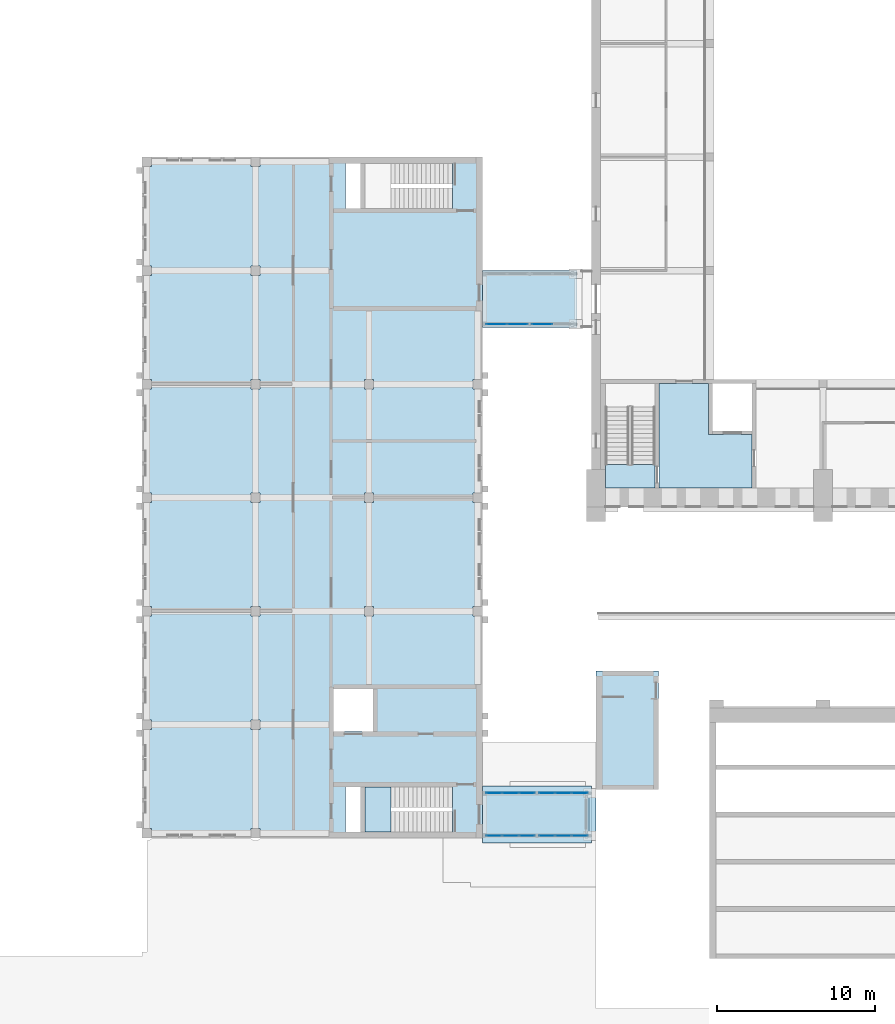
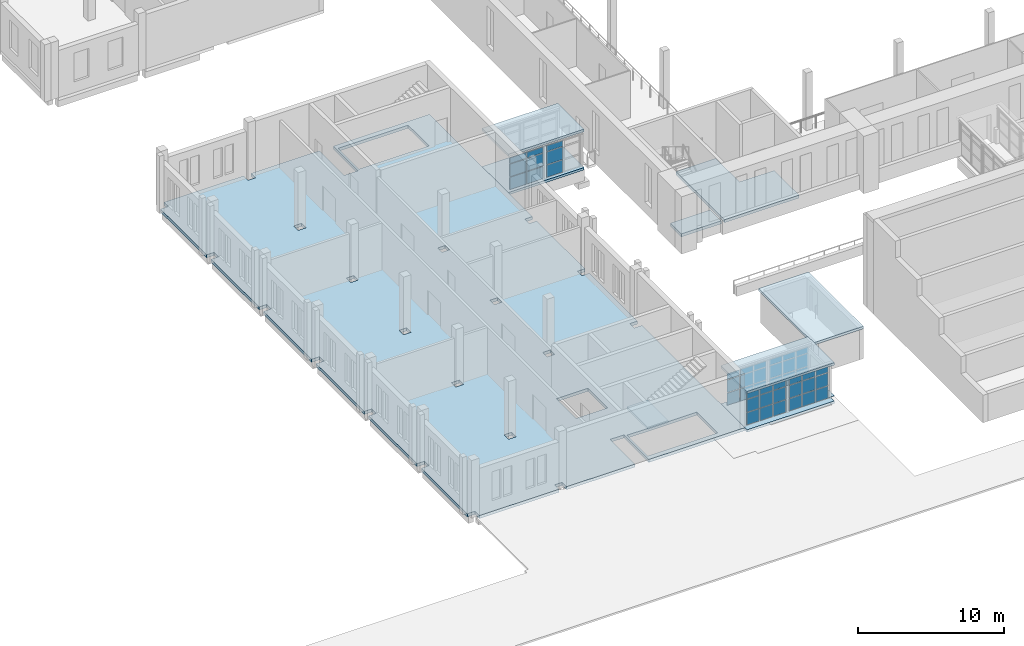
# One storey, part 63 of 131: 46 plates, 9 slabs, 7 elements without a shape of their own.
"""IFC4 building model written with IfcOpenShell, lengths in metres."""

import ifcopenshell
import ifcopenshell.guid

model = None  # the IFC model being written
_history = None  # IfcOwnerHistory: only IFC2X3 demands one
_inside = {}  # id of a spatial element -> (the spatial element, [elements in it])
_under = {}  # id of a project, library or spatial element -> (it, [spatial elements below it])
_declared = {}  # id of a project -> (the project, [libraries it declares])
_typed = {}  # id of a type object -> (the type object, [elements of that type])
_made_of = {}  # id of a material, layer set ... -> (it, [elements and type objects made of it])


def new_model(schema):
    """Start an empty IFC model of exactly this schema.

    Asked for "IFC4X3", IfcOpenShell would pick the latest addendum, in which some entities
    have other attributes; the version numbers below select the first issue.
    IFC2X3 requires an IfcOwnerHistory on every rooted entity: one is made here for all.
    """
    global model, _history
    if schema == "IFC4X3":
        model = ifcopenshell.file(schema_version=(4, 3, 0, 0))
    else:
        model = ifcopenshell.file(schema=schema)
    _inside.clear()
    _under.clear()
    _declared.clear()
    _typed.clear()
    _made_of.clear()
    _history = None
    if model.schema == "IFC2X3":
        org = make("IfcOrganization", Name="unknown")
        user = make(
            "IfcPersonAndOrganization",
            ThePerson=make("IfcPerson", FamilyName="unknown"),
            TheOrganization=org,
        )
        app = make(
            "IfcApplication",
            ApplicationDeveloper=org,
            Version="unknown",
            ApplicationFullName="unknown",
            ApplicationIdentifier="unknown",
        )
        _history = make(
            "IfcOwnerHistory",
            OwningUser=user,
            OwningApplication=app,
            ChangeAction="ADDED",
            CreationDate=0,
        )
    return model


def make(cls, **values):
    """One entity of the class cls with the attributes given. An attribute that is None is left unset."""
    return model.create_entity(
        cls, **{name: value for name, value in values.items() if value is not None}
    )


def rooted(cls, **values):
    """An entity with a GlobalId (a new one), such as an element, a storey or a relation."""
    return make(cls, GlobalId=ifcopenshell.guid.new(), OwnerHistory=_history, **values)


def si_unit(unit_type, name, prefix=None):
    """IfcSIUnit, for example si_unit("LENGTHUNIT", "METRE", prefix="MILLI")."""
    return make("IfcSIUnit", UnitType=unit_type, Prefix=prefix, Name=name)


def assignment(units):
    """IfcUnitAssignment: the units of a project."""
    return None if units is None else make("IfcUnitAssignment", Units=units)


def point(xyz):
    """IfcCartesianPoint."""
    return None if xyz is None else make("IfcCartesianPoint", Coordinates=xyz)


def direction(xyz):
    """IfcDirection."""
    return None if xyz is None else make("IfcDirection", DirectionRatios=xyz)


def frame(location, z_axis=None, x_axis=None):
    """IfcAxis2Placement3D, a coordinate frame: its origin and axes. An axis left out is left unset."""
    return make(
        "IfcAxis2Placement3D",
        Location=point(location),
        Axis=direction(z_axis),
        RefDirection=direction(x_axis),
    )


def frame_2d(location, x_axis=None):
    """IfcAxis2Placement2D, a coordinate frame in the plane: its origin and x axis."""
    return make(
        "IfcAxis2Placement2D", Location=point(location), RefDirection=direction(x_axis)
    )


def origin():
    """The frame at (0, 0, 0) with its axes left unset."""
    return frame((0.0, 0.0, 0.0))


def origin_2d():
    """The frame at (0, 0) in the plane with its x axis left unset."""
    return frame_2d((0.0, 0.0))


def place(relative_to, where):
    """IfcLocalPlacement: puts the frame where relative to a parent placement (None: the world)."""
    return make(
        "IfcLocalPlacement", PlacementRelTo=relative_to, RelativePlacement=where
    )


def context(
    kind, dimensions, precision=None, world=None, true_north=None, identifier=None
):
    """IfcGeometricRepresentationContext, for example the 3D "Model" context."""
    return make(
        "IfcGeometricRepresentationContext",
        ContextIdentifier=identifier,
        ContextType=kind,
        CoordinateSpaceDimension=dimensions,
        Precision=precision,
        WorldCoordinateSystem=world,
        TrueNorth=true_north,
    )


def subcontext(parent, identifier, kind, view, scale=None):
    """IfcGeometricRepresentationSubContext, for example "Body" below "Model"."""
    return make(
        "IfcGeometricRepresentationSubContext",
        ContextIdentifier=identifier,
        ContextType=kind,
        ParentContext=parent,
        TargetScale=scale,
        TargetView=view,
    )


def project(units=None, contexts=None):
    """IfcProject with its units and contexts."""
    return rooted(
        "IfcProject",
        Name="project",
        RepresentationContexts=contexts,
        UnitsInContext=assignment(units),
    )


def spatial(cls, under=None, at=None, **own):
    """A site, building, storey or space (cls), placed at a placement, below another one or the project."""
    s = rooted(cls, ObjectPlacement=at, **own)
    if under is not None:
        _under.setdefault(under.id(), (under, []))[1].append(s)
    return s


def polyline(points):
    """IfcPolyline through the points."""
    return make("IfcPolyline", Points=[point(p) for p in points])


def profile(cls, at=None, kind="AREA", **sizes):
    """A parametric profile (cls). Its sizes go by their IFC names, for example OverallWidth=200.0."""
    return make(cls, ProfileType=kind, Position=at, **sizes)


def rectangle(**sizes):
    """IfcRectangleProfileDef."""
    return profile("IfcRectangleProfileDef", **sizes)


def outline(outer, holes=None, kind="AREA"):
    """IfcArbitraryClosedProfileDef: a profile drawn as a closed curve; with holes, ...WithVoids."""
    if holes is None:
        return make("IfcArbitraryClosedProfileDef", ProfileType=kind, OuterCurve=outer)
    return make(
        "IfcArbitraryProfileDefWithVoids",
        ProfileType=kind,
        OuterCurve=outer,
        InnerCurves=holes,
    )


def extrude(swept, where, along, depth):
    """IfcExtrudedAreaSolid: the profile swept, set in the frame where, extruded along a direction by depth."""
    return make(
        "IfcExtrudedAreaSolid",
        SweptArea=swept,
        Position=where,
        ExtrudedDirection=direction(along),
        Depth=depth,
    )


def shape(context_of_items, identifier, shape_type, items):
    """IfcShapeRepresentation: the items that make up one representation, for example the "Body"."""
    return make(
        "IfcShapeRepresentation",
        ContextOfItems=context_of_items,
        RepresentationIdentifier=identifier,
        RepresentationType=shape_type,
        Items=items,
    )


def material(Name=None, Category=None):
    """IfcMaterial."""
    return make("IfcMaterial", Name=Name, Category=Category)


def layer(
    of_material, thickness, ventilated=None, Name=None, Category=None, Priority=None
):
    """IfcMaterialLayer: one layer of a wall or slab, of a material (None: an air gap)."""
    return make(
        "IfcMaterialLayer",
        Material=of_material,
        LayerThickness=thickness,
        IsVentilated=ventilated,
        Name=Name,
        Category=Category,
        Priority=Priority,
    )


def layer_set(layers, Name=None):
    """IfcMaterialLayerSet."""
    return make("IfcMaterialLayerSet", MaterialLayers=layers, LayerSetName=Name)


def made_of(thing, what):
    """Note that an element or type object is made of a material, layer set ...; save() writes the relation."""
    if what is not None:
        _made_of.setdefault(what.id(), (what, []))[1].append(thing)
    return thing


def type_object(cls, material=None, **own):
    """A type object (cls), such as IfcWallType, which elements share."""
    return made_of(rooted(cls, **own), material)


def element(
    cls,
    number,
    at=None,
    inside=None,
    cuts=None,
    type_object=None,
    material=None,
    context=None,
    identifier="Body",
    shape_type=None,
    held_by="IfcProductDefinitionShape",
    body=None,
    shapes=None,
    **own,
):
    """One element of the class cls, such as IfcWall. Its Tag is "e" and its number.

    at: its placement. inside: the storey or other place that contains it. cuts: it is an
    opening in that element (IfcRelVoidsElement). A single representation is given by context,
    identifier, shape_type and body (its items); several are given by shapes. held_by: the class
    of the entity that holds the representations. save() writes the other relations.
    """
    e = rooted(cls, Tag="e%d" % number, ObjectPlacement=at, **own)
    if body is not None:
        shapes = [shape(context, identifier, shape_type, body)]
    if shapes is not None:
        e.Representation = make(held_by, Representations=shapes)
    if inside is not None:
        _inside.setdefault(inside.id(), (inside, []))[1].append(e)
    if cuts is not None:
        rooted(
            "IfcRelVoidsElement", RelatingBuildingElement=cuts, RelatedOpeningElement=e
        )
    if type_object is not None:
        _typed.setdefault(type_object.id(), (type_object, []))[1].append(e)
    return made_of(e, material)


def aggregate(whole, parts):
    """IfcRelAggregates: a whole, such as a stair, and the parts it consists of."""
    return rooted("IfcRelAggregates", RelatingObject=whole, RelatedObjects=parts)


def save(model, path):
    """Write the relations noted so far, then the file.

    IfcRelAggregates (storeys below a building ...), IfcRelContainedInSpatialStructure (elements
    in a storey), IfcRelDefinesByType, IfcRelAssociatesMaterial and IfcRelDeclares: one each for
    every whole, place, type object, material and project.
    """
    for whole, parts in _under.values():
        aggregate(whole, parts)
    for where, things in _inside.values():
        rooted(
            "IfcRelContainedInSpatialStructure",
            RelatedElements=things,
            RelatingStructure=where,
        )
    for kind, things in _typed.values():
        rooted("IfcRelDefinesByType", RelatedObjects=things, RelatingType=kind)
    for what, things in _made_of.values():
        rooted("IfcRelAssociatesMaterial", RelatedObjects=things, RelatingMaterial=what)
    for by, libraries in _declared.values():
        rooted("IfcRelDeclares", RelatingContext=by, RelatedDefinitions=libraries)
    model.write(path)


model = new_model("IFC4")

# Units and contexts
model_context = context("Model", 3, precision=1e-05, world=origin(), true_north=direction((0.0, 1.0)))
body_context = subcontext(model_context, "Body", "Model", "MODEL_VIEW")
ifc_project = project(units=[si_unit("LENGTHUNIT", "METRE"), si_unit("AREAUNIT", "SQUARE_METRE"), si_unit("VOLUMEUNIT", "CUBIC_METRE"), si_unit("PLANEANGLEUNIT", "RADIAN"), si_unit("MASSUNIT", "GRAM", prefix="KILO")], contexts=[model_context])

# Site, building, storey
site_placement = place(None, origin())
site = spatial("IfcSite", under=ifc_project, at=site_placement, CompositionType="ELEMENT")
building_placement = place(site_placement, origin())
building = spatial("IfcBuilding", under=site, at=building_placement, Name="Alderwick Market Hall", CompositionType="ELEMENT")
storey_placement = place(building_placement, frame((0.0, 0.0, 4.800048828125)))
storey = spatial("IfcBuildingStorey", under=building, at=storey_placement, Name="L00", CompositionType="ELEMENT", Elevation=4.800048828125)

# Slabs
ifc_material_1 = material(Name="Concrete 4000 psi (f'c 28 MPa)", Category="concrete")
ifc_layer_1 = layer(ifc_material_1, 0.199951171875)
ifc_layer_set_1 = layer_set([ifc_layer_1], Name="Concrete 4000 psi (f'c 28 MPa)")
slab_type_1 = type_object("IfcSlabType", Name="A Head-house Roof Slab 200", PredefinedType="ROOF", material=ifc_layer_set_1)
slab_1_placement = place(storey_placement, frame((0.0, 0.0, 2.5)))
element("IfcSlab", 1, at=slab_1_placement, inside=storey, type_object=slab_type_1, Name="A.S.hh.W.roof", PredefinedType="ROOF", context=body_context, shape_type="SweptSolid", body=[
    extrude(outline(polyline([(50.39990234375, 31.8798828125), (54.35009765625, 31.8798828125), (54.35009765625, 39.39990234375), (50.39990234375, 39.39990234375), (50.39990234375, 31.8798828125)])), origin(), (0.0, 0.0, 1.0), 0.199951171875),
])
ifc_layer_2 = layer(ifc_material_1, 0.25)
ifc_layer_set_2 = layer_set([ifc_layer_2], Name="Concrete 4000 psi (f'c 28 MPa)")
slab_type_2 = type_object("IfcSlabType", Name="B RC Floor Slab 250", PredefinedType="FLOOR", material=ifc_layer_set_2)
slab_2_placement = place(storey_placement, frame((0.0, 0.0, -0.25)))
element("IfcSlab", 2, at=slab_2_placement, inside=storey, type_object=slab_type_2, Name="B.S.slab.L00", PredefinedType="FLOOR", context=body_context, shape_type="SweptSolid", body=[
    extrude(outline(polyline([(22.199951171875, 65.10009765625), (21.60009765625, 65.10009765625), (21.60009765625, 71.39990234375), (22.199951171875, 71.39990234375), (22.199951171875, 72.0), (28.5, 72.0), (28.5, 71.39990234375), (29.10009765625, 71.39990234375), (29.10009765625, 72.0), (34.5, 72.0), (34.5, 68.60009765625), (35.60009765625, 68.60009765625), (35.60009765625, 72.0), (43.199951171875, 72.0), (43.199951171875, 57.89990234375), (42.60009765625, 57.89990234375), (42.60009765625, 57.300048828125), (43.199951171875, 57.300048828125), (43.199951171875, 50.699951171875), (42.60009765625, 50.699951171875), (42.60009765625, 50.10009765625), (43.199951171875, 50.10009765625), (43.199951171875, 43.5), (42.60009765625, 43.5), (42.60009765625, 42.89990234375), (43.199951171875, 42.89990234375), (43.199951171875, 28.800048828125), (35.60009765625, 28.800048828125), (35.60009765625, 32.199951171875), (34.5, 32.199951171875), (34.5, 28.800048828125), (29.10009765625, 28.800048828125), (29.10009765625, 29.39990234375), (28.5, 29.39990234375), (28.5, 28.800048828125), (22.199951171875, 28.800048828125), (22.199951171875, 29.39990234375), (21.60009765625, 29.39990234375), (21.60009765625, 35.699951171875), (22.199951171875, 35.699951171875), (22.199951171875, 36.300048828125), (21.60009765625, 36.300048828125), (21.60009765625, 42.89990234375), (22.199951171875, 42.89990234375), (22.199951171875, 43.5), (21.60009765625, 43.5), (21.60009765625, 50.10009765625), (22.199951171875, 50.10009765625), (22.199951171875, 50.699951171875), (21.60009765625, 50.699951171875), (21.60009765625, 57.300048828125), (22.199951171875, 57.300048828125), (22.199951171875, 57.89990234375), (21.60009765625, 57.89990234375), (21.60009765625, 64.5), (22.199951171875, 64.5), (22.199951171875, 65.10009765625)]), holes=[polyline([(29.10009765625, 36.300048828125), (28.5, 36.300048828125), (28.5, 35.699951171875), (29.10009765625, 35.699951171875), (29.10009765625, 36.300048828125)]), polyline([(29.10009765625, 42.89990234375), (29.10009765625, 43.5), (28.5, 43.5), (28.5, 42.89990234375), (29.10009765625, 42.89990234375)]), polyline([(28.5, 50.10009765625), (29.10009765625, 50.10009765625), (29.10009765625, 50.699951171875), (28.5, 50.699951171875), (28.5, 50.10009765625)]), polyline([(28.5, 57.89990234375), (28.5, 57.300048828125), (29.10009765625, 57.300048828125), (29.10009765625, 57.89990234375), (28.5, 57.89990234375)]), polyline([(29.10009765625, 65.10009765625), (28.5, 65.10009765625), (28.5, 64.5), (29.10009765625, 64.5), (29.10009765625, 65.10009765625)]), polyline([(35.699951171875, 42.89990234375), (36.300048828125, 42.89990234375), (36.300048828125, 43.5), (35.699951171875, 43.5), (35.699951171875, 42.89990234375)]), polyline([(35.699951171875, 50.699951171875), (35.699951171875, 50.10009765625), (36.300048828125, 50.10009765625), (36.300048828125, 50.699951171875), (35.699951171875, 50.699951171875)]), polyline([(36.300048828125, 57.89990234375), (35.699951171875, 57.89990234375), (35.699951171875, 57.300048828125), (36.300048828125, 57.300048828125), (36.300048828125, 57.89990234375)]), polyline([(41.2900390625, 32.050048828125), (35.75, 32.050048828125), (35.75, 29.199951171875), (41.2900390625, 29.199951171875), (41.2900390625, 32.050048828125)]), polyline([(36.25, 35.550048828125), (36.25, 38.25), (33.75, 38.25), (33.75, 35.550048828125), (36.25, 35.550048828125)]), polyline([(35.75, 71.60009765625), (35.75, 68.75), (41.2900390625, 68.75), (41.2900390625, 71.60009765625), (35.75, 71.60009765625)])]), origin(), (0.0, 0.0, 1.0), 0.25),
])

# Stair, slab
ifc_material_2 = material(Name="Concrete 5000 psi (f'c 35 MPa)", Category="concrete")
stair_type = type_object("IfcStairType", Name="B Exit Stair 1300", PredefinedType="TWO_STRAIGHT_RUN_STAIR", material=ifc_material_2)
stair_placement = place(storey_placement, origin())
stair = element("IfcStair", 3, at=stair_placement, inside=storey, type_object=stair_type, Name="Stair S-1 L00", PredefinedType="TWO_STRAIGHT_RUN_STAIR")
ifc_layer_3 = layer(ifc_material_2, 0.199951171875)
ifc_layer_set_3 = layer_set([ifc_layer_3], Name="Concrete 5000 psi (f'c 35 MPa)")
slab_type_3 = type_object("IfcSlabType", Name="B Stair Landing 200", PredefinedType="LANDING", material=ifc_layer_set_3)
slab_3_placement = place(storey_placement, frame((0.0, 0.0, 2.199951171875)))
slab_3 = element("IfcSlab", 4, at=slab_3_placement, type_object=slab_type_3, Name="B-ST-S-1-L00 landing 1", PredefinedType="LANDING", context=body_context, shape_type="SweptSolid", body=[
    extrude(outline(polyline([(35.75, 29.199951171875), (37.3798828125, 29.199951171875), (37.3798828125, 32.050048828125), (35.75, 32.050048828125), (35.75, 29.199951171875)])), origin(), (0.0, 0.0, 1.0), 0.199951171875),
])
aggregate(stair, [slab_3])

# Slabs
ifc_layer_4 = layer(ifc_material_1, 0.25)
ifc_layer_set_4 = layer_set([ifc_layer_4], Name="Concrete 4000 psi (f'c 28 MPa)")
slab_type_4 = type_object("IfcSlabType", Name="H Gallery slab 250", PredefinedType="FLOOR", material=ifc_layer_set_4)
slab_4_placement = place(storey_placement, frame((0.0, 0.0, -0.25)))
element("IfcSlab", 5, at=slab_4_placement, inside=storey, type_object=slab_type_4, Name="Core floor H-SW L00", PredefinedType="FLOOR", context=body_context, shape_type="SweptSolid", body=[
    extrude(outline(polyline([(51.0, 52.5), (54.14990234375, 52.5), (54.14990234375, 51.0), (51.0, 51.0), (51.0, 52.5)])), origin(), (0.0, 0.0, 1.0), 0.25),
])
slab_5_placement = place(storey_placement, frame((0.0, 0.0, -0.25)))
element("IfcSlab", 6, at=slab_5_placement, inside=storey, type_object=slab_type_4, Name="Core floor H-SW L00", PredefinedType="FLOOR", context=body_context, shape_type="SweptSolid", body=[
    extrude(outline(polyline([(57.550048828125, 57.639892578125), (57.550048828125, 54.389892578125), (60.300048828125, 54.389892578125), (60.300048828125, 51.0), (54.39990234375, 51.0), (54.39990234375, 57.639892578125), (57.550048828125, 57.639892578125)])), origin(), (0.0, 0.0, 1.0), 0.25),
])

# Curtain wall, plates
ifc_material_3 = material(Name="Aluminium frame", Category="aluminium")
ifc_layer_5 = layer(ifc_material_3, 0.10009765625)
ifc_layer_set_5 = layer_set([ifc_layer_5], Name="Aluminium frame")
curtain_wall_type = type_object("IfcCurtainWallType", Name="P Curtain Wall 100", PredefinedType="NOTDEFINED", material=ifc_layer_set_5)
curtain_wall_1_placement = place(storey_placement, origin())
curtain_wall_1 = element("IfcCurtainWall", 7, at=curtain_wall_1_placement, inside=storey, type_object=curtain_wall_type, Name="P.P6.cw.a0", PredefinedType="NOTDEFINED")
ifc_material_4 = material(Name="Glass, low-e insulated glazing", Category="glass")
ifc_layer_6 = layer(ifc_material_4, 0.028076171875)
ifc_layer_set_6 = layer_set([ifc_layer_6], Name="Glass, low-e insulated glazing")
plate_type_1 = type_object("IfcPlateType", Name="P Glass Panel 28", PredefinedType="CURTAIN_PANEL", material=ifc_layer_set_6)
plate_1_placement = place(storey_placement, frame((44.077880859375, 61.39990234375, 0.06005859375), z_axis=(0.0, 0.0, 1.0), x_axis=(1.0, 0.0, 0.0)))
plate_1 = element("IfcPlate", 8, at=plate_1_placement, type_object=plate_type_1, Name="P-CW6a0 panel 1.1", PredefinedType="CURTAIN_PANEL", context=body_context, shape_type="SweptSolid", body=[
    extrude(rectangle(XDim=1.283935546875, YDim=0.028076171875, at=origin_2d()), origin(), (0.0, 0.0, 1.0), 1.010009765625),
])
plate_2_placement = place(storey_placement, frame((44.077880859375, 61.39990234375, 1.1298828125), z_axis=(0.0, 0.0, 1.0), x_axis=(1.0, 0.0, 0.0)))
plate_2 = element("IfcPlate", 9, at=plate_2_placement, type_object=plate_type_1, Name="P-CW6a0 panel 1.2", PredefinedType="CURTAIN_PANEL", context=body_context, shape_type="SweptSolid", body=[
    extrude(rectangle(XDim=1.283935546875, YDim=0.028076171875, at=origin_2d()), origin(), (0.0, 0.0, 1.0), 1.0400390625),
])
plate_3_placement = place(storey_placement, frame((44.077880859375, 61.39990234375, 2.22998046875), z_axis=(0.0, 0.0, 1.0), x_axis=(1.0, 0.0, 0.0)))
plate_3 = element("IfcPlate", 10, at=plate_3_placement, type_object=plate_type_1, Name="P-CW6a0 panel 1.3", PredefinedType="CURTAIN_PANEL", context=body_context, shape_type="SweptSolid", body=[
    extrude(rectangle(XDim=1.283935546875, YDim=0.028076171875, at=origin_2d()), origin(), (0.0, 0.0, 1.0), 0.462890625),
])
plate_4_placement = place(storey_placement, frame((45.422119140625, 61.39990234375, 0.06005859375), z_axis=(0.0, 0.0, 1.0), x_axis=(1.0, 0.0, 0.0)))
plate_4 = element("IfcPlate", 11, at=plate_4_placement, type_object=plate_type_1, Name="P-CW6a0 panel 2.1", PredefinedType="CURTAIN_PANEL", context=body_context, shape_type="SweptSolid", body=[
    extrude(rectangle(XDim=1.283935546875, YDim=0.028076171875, at=origin_2d()), origin(), (0.0, 0.0, 1.0), 1.010009765625),
])
plate_5_placement = place(storey_placement, frame((45.422119140625, 61.39990234375, 1.1298828125), z_axis=(0.0, 0.0, 1.0), x_axis=(1.0, 0.0, 0.0)))
plate_5 = element("IfcPlate", 12, at=plate_5_placement, type_object=plate_type_1, Name="P-CW6a0 panel 2.2", PredefinedType="CURTAIN_PANEL", context=body_context, shape_type="SweptSolid", body=[
    extrude(rectangle(XDim=1.283935546875, YDim=0.028076171875, at=origin_2d()), origin(), (0.0, 0.0, 1.0), 1.0400390625),
])
plate_6_placement = place(storey_placement, frame((45.422119140625, 61.39990234375, 2.22998046875), z_axis=(0.0, 0.0, 1.0), x_axis=(1.0, 0.0, 0.0)))
plate_6 = element("IfcPlate", 13, at=plate_6_placement, type_object=plate_type_1, Name="P-CW6a0 panel 2.3", PredefinedType="CURTAIN_PANEL", context=body_context, shape_type="SweptSolid", body=[
    extrude(rectangle(XDim=1.283935546875, YDim=0.028076171875, at=origin_2d()), origin(), (0.0, 0.0, 1.0), 0.462890625),
])
aggregate(curtain_wall_1, [plate_1, plate_2, plate_3, plate_4, plate_5, plate_6])

curtain_wall_2_placement = place(storey_placement, origin())
curtain_wall_2 = element("IfcCurtainWall", 14, at=curtain_wall_2_placement, inside=storey, type_object=curtain_wall_type, Name="P.P6.cw.a1", PredefinedType="NOTDEFINED")
plate_7_placement = place(storey_placement, frame((46.97802734375, 61.39990234375, 0.06005859375), z_axis=(0.0, 0.0, 1.0), x_axis=(1.0, 0.0, 0.0)))
plate_7 = element("IfcPlate", 15, at=plate_7_placement, type_object=plate_type_1, Name="P-CW6a1 panel 1.1", PredefinedType="CURTAIN_PANEL", context=body_context, shape_type="SweptSolid", body=[
    extrude(rectangle(XDim=1.283935546875, YDim=0.028076171875, at=origin_2d()), origin(), (0.0, 0.0, 1.0), 1.010009765625),
])
plate_8_placement = place(storey_placement, frame((46.97802734375, 61.39990234375, 1.1298828125), z_axis=(0.0, 0.0, 1.0), x_axis=(1.0, 0.0, 0.0)))
plate_8 = element("IfcPlate", 16, at=plate_8_placement, type_object=plate_type_1, Name="P-CW6a1 panel 1.2", PredefinedType="CURTAIN_PANEL", context=body_context, shape_type="SweptSolid", body=[
    extrude(rectangle(XDim=1.283935546875, YDim=0.028076171875, at=origin_2d()), origin(), (0.0, 0.0, 1.0), 1.0400390625),
])
plate_9_placement = place(storey_placement, frame((46.97802734375, 61.39990234375, 2.22998046875), z_axis=(0.0, 0.0, 1.0), x_axis=(1.0, 0.0, 0.0)))
plate_9 = element("IfcPlate", 17, at=plate_9_placement, type_object=plate_type_1, Name="P-CW6a1 panel 1.3", PredefinedType="CURTAIN_PANEL", context=body_context, shape_type="SweptSolid", body=[
    extrude(rectangle(XDim=1.283935546875, YDim=0.028076171875, at=origin_2d()), origin(), (0.0, 0.0, 1.0), 0.462890625),
])
aggregate(curtain_wall_2, [plate_7, plate_8, plate_9])

curtain_wall_3_placement = place(storey_placement, origin())
curtain_wall_3 = element("IfcCurtainWall", 18, at=curtain_wall_3_placement, inside=storey, type_object=curtain_wall_type, Name="P.P8.cw.a0", PredefinedType="NOTDEFINED")
plate_10_placement = place(storey_placement, frame((43.924072265625, 28.949951171875, 0.06005859375), z_axis=(0.0, 0.0, 1.0), x_axis=(1.0, 0.0, 0.0)))
plate_10 = element("IfcPlate", 19, at=plate_10_placement, type_object=plate_type_1, Name="P-CW8a0 panel 1.1", PredefinedType="CURTAIN_PANEL", context=body_context, shape_type="SweptSolid", body=[
    extrude(rectangle(XDim=0.97607421875, YDim=0.028076171875, at=origin_2d()), origin(), (0.0, 0.0, 1.0), 1.010009765625),
])
plate_11_placement = place(storey_placement, frame((43.924072265625, 28.949951171875, 1.1298828125), z_axis=(0.0, 0.0, 1.0), x_axis=(1.0, 0.0, 0.0)))
plate_11 = element("IfcPlate", 20, at=plate_11_placement, type_object=plate_type_1, Name="P-CW8a0 panel 1.2", PredefinedType="CURTAIN_PANEL", context=body_context, shape_type="SweptSolid", body=[
    extrude(rectangle(XDim=0.97607421875, YDim=0.028076171875, at=origin_2d()), origin(), (0.0, 0.0, 1.0), 1.0400390625),
])
plate_12_placement = place(storey_placement, frame((43.924072265625, 28.949951171875, 2.22998046875), z_axis=(0.0, 0.0, 1.0), x_axis=(1.0, 0.0, 0.0)))
plate_12 = element("IfcPlate", 21, at=plate_12_placement, type_object=plate_type_1, Name="P-CW8a0 panel 1.3", PredefinedType="CURTAIN_PANEL", context=body_context, shape_type="SweptSolid", body=[
    extrude(rectangle(XDim=0.97607421875, YDim=0.028076171875, at=origin_2d()), origin(), (0.0, 0.0, 1.0), 0.462890625),
])
plate_13_placement = place(storey_placement, frame((44.97509765625, 28.949951171875, 0.06005859375), z_axis=(0.0, 0.0, 1.0), x_axis=(1.0, 0.0, 0.0)))
plate_13 = element("IfcPlate", 22, at=plate_13_placement, type_object=plate_type_1, Name="P-CW8a0 panel 2.1", PredefinedType="CURTAIN_PANEL", context=body_context, shape_type="SweptSolid", body=[
    extrude(rectangle(XDim=1.006103515625, YDim=0.028076171875, at=origin_2d()), origin(), (0.0, 0.0, 1.0), 1.010009765625),
])
plate_14_placement = place(storey_placement, frame((44.97509765625, 28.949951171875, 1.1298828125), z_axis=(0.0, 0.0, 1.0), x_axis=(1.0, 0.0, 0.0)))
plate_14 = element("IfcPlate", 23, at=plate_14_placement, type_object=plate_type_1, Name="P-CW8a0 panel 2.2", PredefinedType="CURTAIN_PANEL", context=body_context, shape_type="SweptSolid", body=[
    extrude(rectangle(XDim=1.006103515625, YDim=0.028076171875, at=origin_2d()), origin(), (0.0, 0.0, 1.0), 1.0400390625),
])
plate_15_placement = place(storey_placement, frame((44.97509765625, 28.949951171875, 2.22998046875), z_axis=(0.0, 0.0, 1.0), x_axis=(1.0, 0.0, 0.0)))
plate_15 = element("IfcPlate", 24, at=plate_15_placement, type_object=plate_type_1, Name="P-CW8a0 panel 2.3", PredefinedType="CURTAIN_PANEL", context=body_context, shape_type="SweptSolid", body=[
    extrude(rectangle(XDim=1.006103515625, YDim=0.028076171875, at=origin_2d()), origin(), (0.0, 0.0, 1.0), 0.462890625),
])
plate_16_placement = place(storey_placement, frame((46.02587890625, 28.949951171875, 0.06005859375), z_axis=(0.0, 0.0, 1.0), x_axis=(1.0, 0.0, 0.0)))
plate_16 = element("IfcPlate", 25, at=plate_16_placement, type_object=plate_type_1, Name="P-CW8a0 panel 3.1", PredefinedType="CURTAIN_PANEL", context=body_context, shape_type="SweptSolid", body=[
    extrude(rectangle(XDim=0.97607421875, YDim=0.028076171875, at=origin_2d()), origin(), (0.0, 0.0, 1.0), 1.010009765625),
])
plate_17_placement = place(storey_placement, frame((46.02587890625, 28.949951171875, 1.1298828125), z_axis=(0.0, 0.0, 1.0), x_axis=(1.0, 0.0, 0.0)))
plate_17 = element("IfcPlate", 26, at=plate_17_placement, type_object=plate_type_1, Name="P-CW8a0 panel 3.2", PredefinedType="CURTAIN_PANEL", context=body_context, shape_type="SweptSolid", body=[
    extrude(rectangle(XDim=0.97607421875, YDim=0.028076171875, at=origin_2d()), origin(), (0.0, 0.0, 1.0), 1.0400390625),
])
plate_18_placement = place(storey_placement, frame((46.02587890625, 28.949951171875, 2.22998046875), z_axis=(0.0, 0.0, 1.0), x_axis=(1.0, 0.0, 0.0)))
plate_18 = element("IfcPlate", 27, at=plate_18_placement, type_object=plate_type_1, Name="P-CW8a0 panel 3.3", PredefinedType="CURTAIN_PANEL", context=body_context, shape_type="SweptSolid", body=[
    extrude(rectangle(XDim=0.97607421875, YDim=0.028076171875, at=origin_2d()), origin(), (0.0, 0.0, 1.0), 0.462890625),
])
aggregate(curtain_wall_3, [plate_10, plate_11, plate_12, plate_13, plate_14, plate_15, plate_16, plate_17, plate_18])

curtain_wall_4_placement = place(storey_placement, origin())
curtain_wall_4 = element("IfcCurtainWall", 28, at=curtain_wall_4_placement, inside=storey, type_object=curtain_wall_type, Name="P.P8.cw.a1", PredefinedType="NOTDEFINED")
plate_19_placement = place(storey_placement, frame((47.27392578125, 28.949951171875, 0.06005859375), z_axis=(0.0, 0.0, 1.0), x_axis=(1.0, 0.0, 0.0)))
plate_19 = element("IfcPlate", 29, at=plate_19_placement, type_object=plate_type_1, Name="P-CW8a1 panel 1.1", PredefinedType="CURTAIN_PANEL", context=body_context, shape_type="SweptSolid", body=[
    extrude(rectangle(XDim=0.97607421875, YDim=0.028076171875, at=origin_2d()), origin(), (0.0, 0.0, 1.0), 1.010009765625),
])
plate_20_placement = place(storey_placement, frame((47.27392578125, 28.949951171875, 1.1298828125), z_axis=(0.0, 0.0, 1.0), x_axis=(1.0, 0.0, 0.0)))
plate_20 = element("IfcPlate", 30, at=plate_20_placement, type_object=plate_type_1, Name="P-CW8a1 panel 1.2", PredefinedType="CURTAIN_PANEL", context=body_context, shape_type="SweptSolid", body=[
    extrude(rectangle(XDim=0.97607421875, YDim=0.028076171875, at=origin_2d()), origin(), (0.0, 0.0, 1.0), 1.0400390625),
])
plate_21_placement = place(storey_placement, frame((47.27392578125, 28.949951171875, 2.22998046875), z_axis=(0.0, 0.0, 1.0), x_axis=(1.0, 0.0, 0.0)))
plate_21 = element("IfcPlate", 31, at=plate_21_placement, type_object=plate_type_1, Name="P-CW8a1 panel 1.3", PredefinedType="CURTAIN_PANEL", context=body_context, shape_type="SweptSolid", body=[
    extrude(rectangle(XDim=0.97607421875, YDim=0.028076171875, at=origin_2d()), origin(), (0.0, 0.0, 1.0), 0.462890625),
])
plate_22_placement = place(storey_placement, frame((48.324951171875, 28.949951171875, 0.06005859375), z_axis=(0.0, 0.0, 1.0), x_axis=(1.0, 0.0, 0.0)))
plate_22 = element("IfcPlate", 32, at=plate_22_placement, type_object=plate_type_1, Name="P-CW8a1 panel 2.1", PredefinedType="CURTAIN_PANEL", context=body_context, shape_type="SweptSolid", body=[
    extrude(rectangle(XDim=1.006103515625, YDim=0.028076171875, at=origin_2d()), origin(), (0.0, 0.0, 1.0), 1.010009765625),
])
plate_23_placement = place(storey_placement, frame((48.324951171875, 28.949951171875, 1.1298828125), z_axis=(0.0, 0.0, 1.0), x_axis=(1.0, 0.0, 0.0)))
plate_23 = element("IfcPlate", 33, at=plate_23_placement, type_object=plate_type_1, Name="P-CW8a1 panel 2.2", PredefinedType="CURTAIN_PANEL", context=body_context, shape_type="SweptSolid", body=[
    extrude(rectangle(XDim=1.006103515625, YDim=0.028076171875, at=origin_2d()), origin(), (0.0, 0.0, 1.0), 1.0400390625),
])
plate_24_placement = place(storey_placement, frame((48.324951171875, 28.949951171875, 2.22998046875), z_axis=(0.0, 0.0, 1.0), x_axis=(1.0, 0.0, 0.0)))
plate_24 = element("IfcPlate", 34, at=plate_24_placement, type_object=plate_type_1, Name="P-CW8a1 panel 2.3", PredefinedType="CURTAIN_PANEL", context=body_context, shape_type="SweptSolid", body=[
    extrude(rectangle(XDim=1.006103515625, YDim=0.028076171875, at=origin_2d()), origin(), (0.0, 0.0, 1.0), 0.462890625),
])
plate_25_placement = place(storey_placement, frame((49.3759765625, 28.949951171875, 0.06005859375), z_axis=(0.0, 0.0, 1.0), x_axis=(1.0, 0.0, 0.0)))
plate_25 = element("IfcPlate", 35, at=plate_25_placement, type_object=plate_type_1, Name="P-CW8a1 panel 3.1", PredefinedType="CURTAIN_PANEL", context=body_context, shape_type="SweptSolid", body=[
    extrude(rectangle(XDim=0.97607421875, YDim=0.028076171875, at=origin_2d()), origin(), (0.0, 0.0, 1.0), 1.010009765625),
])
plate_26_placement = place(storey_placement, frame((49.3759765625, 28.949951171875, 1.1298828125), z_axis=(0.0, 0.0, 1.0), x_axis=(1.0, 0.0, 0.0)))
plate_26 = element("IfcPlate", 36, at=plate_26_placement, type_object=plate_type_1, Name="P-CW8a1 panel 3.2", PredefinedType="CURTAIN_PANEL", context=body_context, shape_type="SweptSolid", body=[
    extrude(rectangle(XDim=0.97607421875, YDim=0.028076171875, at=origin_2d()), origin(), (0.0, 0.0, 1.0), 1.0400390625),
])
plate_27_placement = place(storey_placement, frame((49.3759765625, 28.949951171875, 2.22998046875), z_axis=(0.0, 0.0, 1.0), x_axis=(1.0, 0.0, 0.0)))
plate_27 = element("IfcPlate", 37, at=plate_27_placement, type_object=plate_type_1, Name="P-CW8a1 panel 3.3", PredefinedType="CURTAIN_PANEL", context=body_context, shape_type="SweptSolid", body=[
    extrude(rectangle(XDim=0.97607421875, YDim=0.028076171875, at=origin_2d()), origin(), (0.0, 0.0, 1.0), 0.462890625),
])
aggregate(curtain_wall_4, [plate_19, plate_20, plate_21, plate_22, plate_23, plate_24, plate_25, plate_26, plate_27])

curtain_wall_5_placement = place(storey_placement, origin())
curtain_wall_5 = element("IfcCurtainWall", 38, at=curtain_wall_5_placement, inside=storey, type_object=curtain_wall_type, Name="P.P8.cw.b0", PredefinedType="NOTDEFINED")
plate_28_placement = place(storey_placement, frame((43.924072265625, 31.64990234375, 0.06005859375), z_axis=(0.0, 0.0, 1.0), x_axis=(1.0, 0.0, 0.0)))
plate_28 = element("IfcPlate", 39, at=plate_28_placement, type_object=plate_type_1, Name="P-CW8b0 panel 1.1", PredefinedType="CURTAIN_PANEL", context=body_context, shape_type="SweptSolid", body=[
    extrude(rectangle(XDim=0.97607421875, YDim=0.028076171875, at=origin_2d()), origin(), (0.0, 0.0, 1.0), 1.010009765625),
])
plate_29_placement = place(storey_placement, frame((43.924072265625, 31.64990234375, 1.1298828125), z_axis=(0.0, 0.0, 1.0), x_axis=(1.0, 0.0, 0.0)))
plate_29 = element("IfcPlate", 40, at=plate_29_placement, type_object=plate_type_1, Name="P-CW8b0 panel 1.2", PredefinedType="CURTAIN_PANEL", context=body_context, shape_type="SweptSolid", body=[
    extrude(rectangle(XDim=0.97607421875, YDim=0.028076171875, at=origin_2d()), origin(), (0.0, 0.0, 1.0), 1.0400390625),
])
plate_30_placement = place(storey_placement, frame((43.924072265625, 31.64990234375, 2.22998046875), z_axis=(0.0, 0.0, 1.0), x_axis=(1.0, 0.0, 0.0)))
plate_30 = element("IfcPlate", 41, at=plate_30_placement, type_object=plate_type_1, Name="P-CW8b0 panel 1.3", PredefinedType="CURTAIN_PANEL", context=body_context, shape_type="SweptSolid", body=[
    extrude(rectangle(XDim=0.97607421875, YDim=0.028076171875, at=origin_2d()), origin(), (0.0, 0.0, 1.0), 0.462890625),
])
plate_31_placement = place(storey_placement, frame((44.97509765625, 31.64990234375, 0.06005859375), z_axis=(0.0, 0.0, 1.0), x_axis=(1.0, 0.0, 0.0)))
plate_31 = element("IfcPlate", 42, at=plate_31_placement, type_object=plate_type_1, Name="P-CW8b0 panel 2.1", PredefinedType="CURTAIN_PANEL", context=body_context, shape_type="SweptSolid", body=[
    extrude(rectangle(XDim=1.006103515625, YDim=0.028076171875, at=origin_2d()), origin(), (0.0, 0.0, 1.0), 1.010009765625),
])
plate_32_placement = place(storey_placement, frame((44.97509765625, 31.64990234375, 1.1298828125), z_axis=(0.0, 0.0, 1.0), x_axis=(1.0, 0.0, 0.0)))
plate_32 = element("IfcPlate", 43, at=plate_32_placement, type_object=plate_type_1, Name="P-CW8b0 panel 2.2", PredefinedType="CURTAIN_PANEL", context=body_context, shape_type="SweptSolid", body=[
    extrude(rectangle(XDim=1.006103515625, YDim=0.028076171875, at=origin_2d()), origin(), (0.0, 0.0, 1.0), 1.0400390625),
])
plate_33_placement = place(storey_placement, frame((44.97509765625, 31.64990234375, 2.22998046875), z_axis=(0.0, 0.0, 1.0), x_axis=(1.0, 0.0, 0.0)))
plate_33 = element("IfcPlate", 44, at=plate_33_placement, type_object=plate_type_1, Name="P-CW8b0 panel 2.3", PredefinedType="CURTAIN_PANEL", context=body_context, shape_type="SweptSolid", body=[
    extrude(rectangle(XDim=1.006103515625, YDim=0.028076171875, at=origin_2d()), origin(), (0.0, 0.0, 1.0), 0.462890625),
])
plate_34_placement = place(storey_placement, frame((46.02587890625, 31.64990234375, 0.06005859375), z_axis=(0.0, 0.0, 1.0), x_axis=(1.0, 0.0, 0.0)))
plate_34 = element("IfcPlate", 45, at=plate_34_placement, type_object=plate_type_1, Name="P-CW8b0 panel 3.1", PredefinedType="CURTAIN_PANEL", context=body_context, shape_type="SweptSolid", body=[
    extrude(rectangle(XDim=0.97607421875, YDim=0.028076171875, at=origin_2d()), origin(), (0.0, 0.0, 1.0), 1.010009765625),
])
plate_35_placement = place(storey_placement, frame((46.02587890625, 31.64990234375, 1.1298828125), z_axis=(0.0, 0.0, 1.0), x_axis=(1.0, 0.0, 0.0)))
plate_35 = element("IfcPlate", 46, at=plate_35_placement, type_object=plate_type_1, Name="P-CW8b0 panel 3.2", PredefinedType="CURTAIN_PANEL", context=body_context, shape_type="SweptSolid", body=[
    extrude(rectangle(XDim=0.97607421875, YDim=0.028076171875, at=origin_2d()), origin(), (0.0, 0.0, 1.0), 1.0400390625),
])
plate_36_placement = place(storey_placement, frame((46.02587890625, 31.64990234375, 2.22998046875), z_axis=(0.0, 0.0, 1.0), x_axis=(1.0, 0.0, 0.0)))
plate_36 = element("IfcPlate", 47, at=plate_36_placement, type_object=plate_type_1, Name="P-CW8b0 panel 3.3", PredefinedType="CURTAIN_PANEL", context=body_context, shape_type="SweptSolid", body=[
    extrude(rectangle(XDim=0.97607421875, YDim=0.028076171875, at=origin_2d()), origin(), (0.0, 0.0, 1.0), 0.462890625),
])
aggregate(curtain_wall_5, [plate_28, plate_29, plate_30, plate_31, plate_32, plate_33, plate_34, plate_35, plate_36])

curtain_wall_6_placement = place(storey_placement, origin())
curtain_wall_6 = element("IfcCurtainWall", 48, at=curtain_wall_6_placement, inside=storey, type_object=curtain_wall_type, Name="P.P8.cw.b1", PredefinedType="NOTDEFINED")
plate_37_placement = place(storey_placement, frame((47.27392578125, 31.64990234375, 0.06005859375), z_axis=(0.0, 0.0, 1.0), x_axis=(1.0, 0.0, 0.0)))
plate_37 = element("IfcPlate", 49, at=plate_37_placement, type_object=plate_type_1, Name="P-CW8b1 panel 1.1", PredefinedType="CURTAIN_PANEL", context=body_context, shape_type="SweptSolid", body=[
    extrude(rectangle(XDim=0.97607421875, YDim=0.028076171875, at=origin_2d()), origin(), (0.0, 0.0, 1.0), 1.010009765625),
])
plate_38_placement = place(storey_placement, frame((47.27392578125, 31.64990234375, 1.1298828125), z_axis=(0.0, 0.0, 1.0), x_axis=(1.0, 0.0, 0.0)))
plate_38 = element("IfcPlate", 50, at=plate_38_placement, type_object=plate_type_1, Name="P-CW8b1 panel 1.2", PredefinedType="CURTAIN_PANEL", context=body_context, shape_type="SweptSolid", body=[
    extrude(rectangle(XDim=0.97607421875, YDim=0.028076171875, at=origin_2d()), origin(), (0.0, 0.0, 1.0), 1.0400390625),
])
plate_39_placement = place(storey_placement, frame((47.27392578125, 31.64990234375, 2.22998046875), z_axis=(0.0, 0.0, 1.0), x_axis=(1.0, 0.0, 0.0)))
plate_39 = element("IfcPlate", 51, at=plate_39_placement, type_object=plate_type_1, Name="P-CW8b1 panel 1.3", PredefinedType="CURTAIN_PANEL", context=body_context, shape_type="SweptSolid", body=[
    extrude(rectangle(XDim=0.97607421875, YDim=0.028076171875, at=origin_2d()), origin(), (0.0, 0.0, 1.0), 0.462890625),
])
plate_40_placement = place(storey_placement, frame((48.324951171875, 31.64990234375, 0.06005859375), z_axis=(0.0, 0.0, 1.0), x_axis=(1.0, 0.0, 0.0)))
plate_40 = element("IfcPlate", 52, at=plate_40_placement, type_object=plate_type_1, Name="P-CW8b1 panel 2.1", PredefinedType="CURTAIN_PANEL", context=body_context, shape_type="SweptSolid", body=[
    extrude(rectangle(XDim=1.006103515625, YDim=0.028076171875, at=origin_2d()), origin(), (0.0, 0.0, 1.0), 1.010009765625),
])
plate_41_placement = place(storey_placement, frame((48.324951171875, 31.64990234375, 1.1298828125), z_axis=(0.0, 0.0, 1.0), x_axis=(1.0, 0.0, 0.0)))
plate_41 = element("IfcPlate", 53, at=plate_41_placement, type_object=plate_type_1, Name="P-CW8b1 panel 2.2", PredefinedType="CURTAIN_PANEL", context=body_context, shape_type="SweptSolid", body=[
    extrude(rectangle(XDim=1.006103515625, YDim=0.028076171875, at=origin_2d()), origin(), (0.0, 0.0, 1.0), 1.0400390625),
])
plate_42_placement = place(storey_placement, frame((48.324951171875, 31.64990234375, 2.22998046875), z_axis=(0.0, 0.0, 1.0), x_axis=(1.0, 0.0, 0.0)))
plate_42 = element("IfcPlate", 54, at=plate_42_placement, type_object=plate_type_1, Name="P-CW8b1 panel 2.3", PredefinedType="CURTAIN_PANEL", context=body_context, shape_type="SweptSolid", body=[
    extrude(rectangle(XDim=1.006103515625, YDim=0.028076171875, at=origin_2d()), origin(), (0.0, 0.0, 1.0), 0.462890625),
])
plate_43_placement = place(storey_placement, frame((49.3759765625, 31.64990234375, 0.06005859375), z_axis=(0.0, 0.0, 1.0), x_axis=(1.0, 0.0, 0.0)))
plate_43 = element("IfcPlate", 55, at=plate_43_placement, type_object=plate_type_1, Name="P-CW8b1 panel 3.1", PredefinedType="CURTAIN_PANEL", context=body_context, shape_type="SweptSolid", body=[
    extrude(rectangle(XDim=0.97607421875, YDim=0.028076171875, at=origin_2d()), origin(), (0.0, 0.0, 1.0), 1.010009765625),
])
plate_44_placement = place(storey_placement, frame((49.3759765625, 31.64990234375, 1.1298828125), z_axis=(0.0, 0.0, 1.0), x_axis=(1.0, 0.0, 0.0)))
plate_44 = element("IfcPlate", 56, at=plate_44_placement, type_object=plate_type_1, Name="P-CW8b1 panel 3.2", PredefinedType="CURTAIN_PANEL", context=body_context, shape_type="SweptSolid", body=[
    extrude(rectangle(XDim=0.97607421875, YDim=0.028076171875, at=origin_2d()), origin(), (0.0, 0.0, 1.0), 1.0400390625),
])
plate_45_placement = place(storey_placement, frame((49.3759765625, 31.64990234375, 2.22998046875), z_axis=(0.0, 0.0, 1.0), x_axis=(1.0, 0.0, 0.0)))
plate_45 = element("IfcPlate", 57, at=plate_45_placement, type_object=plate_type_1, Name="P-CW8b1 panel 3.3", PredefinedType="CURTAIN_PANEL", context=body_context, shape_type="SweptSolid", body=[
    extrude(rectangle(XDim=0.97607421875, YDim=0.028076171875, at=origin_2d()), origin(), (0.0, 0.0, 1.0), 0.462890625),
])
aggregate(curtain_wall_6, [plate_37, plate_38, plate_39, plate_40, plate_41, plate_42, plate_43, plate_44, plate_45])

# Plate
ifc_material_5 = material(Name="Stainless steel plate, grade 316", Category="steel")
ifc_layer_7 = layer(ifc_material_5, 0.011962890625)
ifc_layer_set_7 = layer_set([ifc_layer_7], Name="Stainless steel plate, grade 316")
plate_type_2 = type_object("IfcPlateType", Name="P Joint Cover Plate 12", PredefinedType="SHEET", material=ifc_layer_set_7)
plate_46_placement = place(storey_placement, frame((50.175048828125, 30.300048828125, 0.0), z_axis=(0.0, 0.0, 1.0), x_axis=(1.0, 0.0, 0.0)))
element("IfcPlate", 58, at=plate_46_placement, inside=storey, type_object=plate_type_2, Name="Threshold cover plate", PredefinedType="SHEET", context=body_context, shape_type="SweptSolid", body=[
    extrude(rectangle(XDim=0.449951171875, YDim=2.548095703125, at=origin_2d()), origin(), (0.0, 0.0, 1.0), 0.011962890625),
])

# Slabs
ifc_layer_8 = layer(ifc_material_1, 0.199951171875)
ifc_layer_set_8 = layer_set([ifc_layer_8], Name="Concrete 4000 psi (f'c 28 MPa)")
slab_type_5 = type_object("IfcSlabType", Name="P Passage Roof Deck 200", PredefinedType="ROOF", material=ifc_layer_set_8)
slab_6_placement = place(storey_placement, frame((0.0, 0.0, 3.0)))
element("IfcSlab", 59, at=slab_6_placement, inside=storey, type_object=slab_type_5, Name="P.P6.roof", PredefinedType="ROOF", context=body_context, shape_type="SweptSolid", body=[
    extrude(outline(polyline([(43.199951171875, 61.199951171875), (49.199951171875, 61.199951171875), (49.199951171875, 64.800048828125), (43.199951171875, 64.800048828125), (43.199951171875, 61.199951171875)])), origin(), (0.0, 0.0, 1.0), 0.199951171875),
])
slab_7_placement = place(storey_placement, frame((0.0, 0.0, 3.0)))
element("IfcSlab", 60, at=slab_7_placement, inside=storey, type_object=slab_type_5, Name="P.P8.roof", PredefinedType="ROOF", context=body_context, shape_type="SweptSolid", body=[
    extrude(outline(polyline([(43.199951171875, 28.5), (50.10009765625, 28.5), (50.10009765625, 32.10009765625), (43.199951171875, 32.10009765625), (43.199951171875, 28.5)])), origin(), (0.0, 0.0, 1.0), 0.199951171875),
])
ifc_layer_9 = layer(ifc_material_1, 0.199951171875)
ifc_layer_set_9 = layer_set([ifc_layer_9], Name="Concrete 4000 psi (f'c 28 MPa)")
slab_type_6 = type_object("IfcSlabType", Name="P RC Passage Deck 200", PredefinedType="FLOOR", material=ifc_layer_set_9)
slab_8_placement = place(storey_placement, frame((0.0, 0.0, -0.199951171875)))
element("IfcSlab", 61, at=slab_8_placement, inside=storey, type_object=slab_type_6, Name="P.P6.deck", PredefinedType="FLOOR", context=body_context, shape_type="SweptSolid", body=[
    extrude(outline(polyline([(43.199951171875, 61.199951171875), (49.199951171875, 61.199951171875), (49.199951171875, 64.800048828125), (43.199951171875, 64.800048828125), (43.199951171875, 61.199951171875)])), origin(), (0.0, 0.0, 1.0), 0.199951171875),
])
slab_9_placement = place(storey_placement, frame((0.0, 0.0, -0.199951171875)))
element("IfcSlab", 62, at=slab_9_placement, inside=storey, type_object=slab_type_6, Name="P.P8.deck", PredefinedType="FLOOR", context=body_context, shape_type="SweptSolid", body=[
    extrude(outline(polyline([(43.199951171875, 28.5), (50.10009765625, 28.5), (50.10009765625, 32.10009765625), (43.199951171875, 32.10009765625), (43.199951171875, 28.5)])), origin(), (0.0, 0.0, 1.0), 0.199951171875),
])

save(model, "model.ifc")
